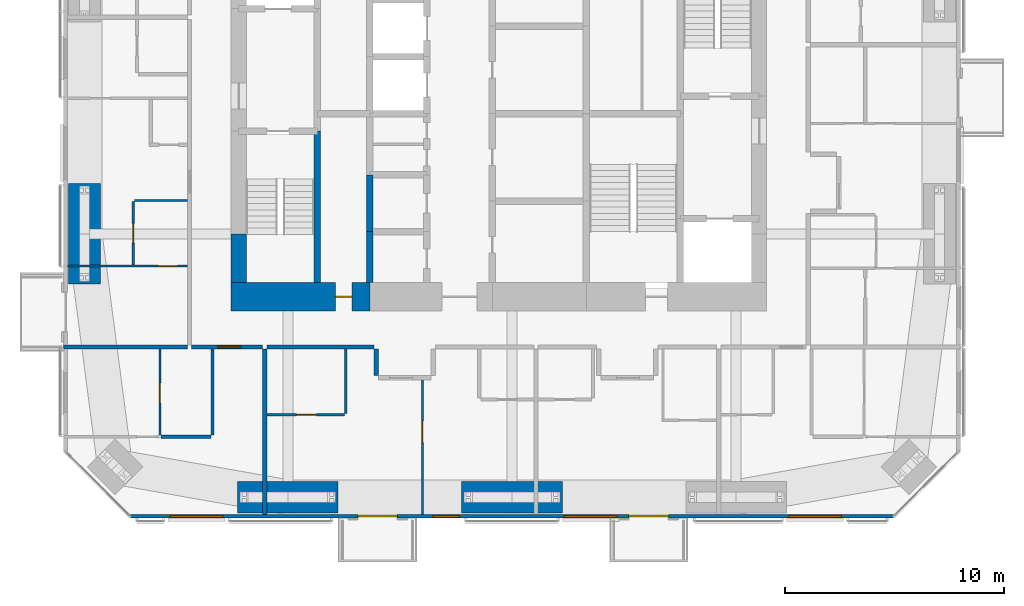
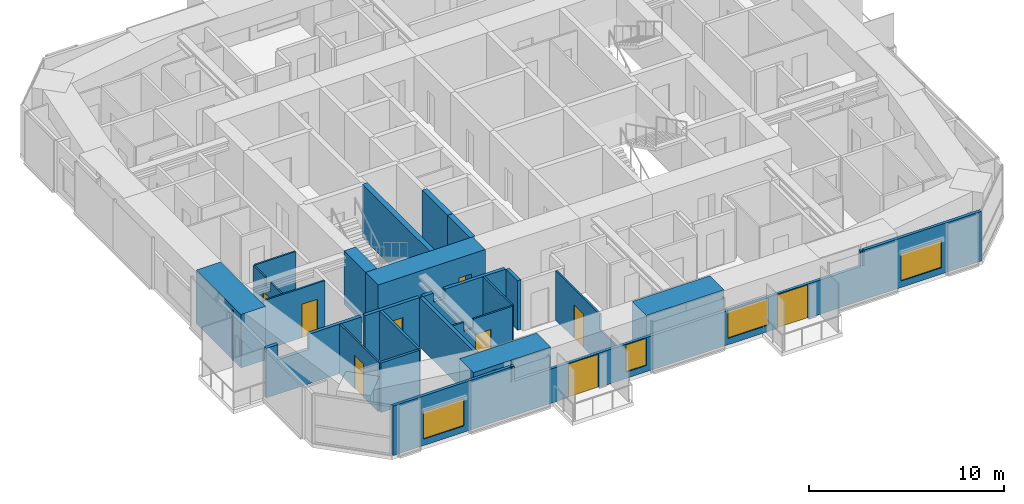
# One storey, part 15 of 23: 23 walls, 9 doors, 4 windows, 13 openings.
"""IFC4 building model written with IfcOpenShell, lengths in metres."""

from ifc_helpers import new_model, si_unit, direction, frame, frame_2d, origin, place, context, subcontext, project, spatial, polyline, rectangle, outline, extrude, material, layer, layer_set, constituent, constituent_set, type_object, element, fill, save


model = new_model("IFC4")

# Units and contexts
model_context = context("Model", 3, precision=1e-05, world=origin(), true_north=direction((0.0, 1.0)))
body_context = subcontext(model_context, "Body", "Model", "MODEL_VIEW")
ifc_project = project(units=[si_unit("LENGTHUNIT", "METRE"), si_unit("AREAUNIT", "SQUARE_METRE"), si_unit("VOLUMEUNIT", "CUBIC_METRE"), si_unit("PLANEANGLEUNIT", "RADIAN"), si_unit("MASSUNIT", "GRAM", prefix="KILO")], contexts=[model_context])

# Site, building, storey
site_placement = place(None, origin())
site = spatial("IfcSite", under=ifc_project, at=site_placement, CompositionType="ELEMENT")
building_placement = place(site_placement, origin())
building = spatial("IfcBuilding", under=site, at=building_placement, Name="Jalousie Tower", CompositionType="ELEMENT")
storey_placement = place(building_placement, frame((0.0, 0.0, 167.75)))
storey = spatial("IfcBuildingStorey", under=building, at=storey_placement, Name="L45", CompositionType="ELEMENT", Elevation=167.75)

# Walls
ifc_material_1 = material(Name="Concrete block ASTM C90", Category="concrete")
ifc_constituent_1 = constituent(ifc_material_1, Name="Body")
ifc_material_2 = material(Name="Render")
ifc_constituent_2 = constituent(ifc_material_2, Name="Finish")
ifc_constituent_set_1 = constituent_set(constituents=[ifc_constituent_1, ifc_constituent_2])
wall_type_1 = type_object("IfcWallType", Name="BATHROOM WALL 150", PredefinedType="PLUMBINGWALL", material=ifc_constituent_set_1)
wall_1_placement = place(storey_placement, frame((18.72509765625, 3.72119140625, 0.0), z_axis=(0.0, 0.0, 1.0), x_axis=(-1.0, 0.0, 0.0)))
element("IfcWall", 1, at=wall_1_placement, inside=storey, type_object=wall_type_1, Name="Bathroom Wall 150 L45", PredefinedType="PLUMBINGWALL", context=body_context, shape_type="SweptSolid", body=[
    extrude(rectangle(XDim=2.275146484375, YDim=0.14990234375, at=frame_2d((1.1376953125, 0.0))), origin(), (0.0, 0.0, 1.0), 3.110107421875),
])
wall_2_placement = place(storey_placement, frame((18.800048828125, 3.79638671875, 0.0), z_axis=(0.0, 0.0, 1.0), x_axis=(0.0, 1.0, 0.0)))
element("IfcWall", 2, at=wall_2_placement, inside=storey, type_object=wall_type_1, Name="Bathroom Wall 150 L45", PredefinedType="PLUMBINGWALL", context=body_context, shape_type="SweptSolid", body=[
    extrude(rectangle(XDim=3.9287109375, YDim=0.14990234375, at=frame_2d((1.96435546875, 0.0))), origin(), (0.0, 0.0, 1.0), 3.110107421875),
])

# Wall, opening, door
ifc_material_3 = material(Name="Concrete f'c 120 MPa", Category="concrete")
ifc_layer_1 = layer(ifc_material_3, 1.300048828125)
ifc_layer_set_1 = layer_set([ifc_layer_1], Name="Concrete f'c 120 MPa")
wall_type_2 = type_object("IfcWallType", Name="CORE WALL 1300", PredefinedType="SHEAR", material=ifc_layer_set_1)
wall_3_placement = place(storey_placement, frame((19.64990234375, 10.125, 0.0), z_axis=(0.0, 0.0, 1.0), x_axis=(1.0, 0.0, 0.0)))
wall_3 = element("IfcWall", 3, at=wall_3_placement, inside=storey, type_object=wall_type_2, Name="Core wall SA L45", PredefinedType="SHEAR", context=body_context, shape_type="SweptSolid", body=[
    extrude(rectangle(XDim=6.35009765625, YDim=1.300048828125, at=frame_2d((3.175048828125, 0.0))), origin(), (0.0, 0.0, 1.0), 3.35009765625),
])
opening_1_placement = place(wall_3_placement, frame((4.77490234375, 0.0, 0.0)))
opening_1 = element("IfcOpeningElement", 4, at=opening_1_placement, cuts=wall_3, Name="Opening D16", PredefinedType="OPENING", context=body_context, shape_type="SweptSolid", body=[
    extrude(rectangle(XDim=0.75, YDim=2.10009765625, at=frame_2d((0.375, 1.050048828125))), frame((0.0, 0.659912109375, 0.0), z_axis=(0.0, -1.0, 0.0), x_axis=(1.0, 0.0, 0.0)), (0.0, 0.0, 1.0), 1.320068359375),
])
ifc_material_4 = material(Name="Steel fire door", Category="steel")
door_type_1 = type_object("IfcDoorType", Name="RISER DOOR 750", OperationType="SINGLE_SWING_LEFT", PredefinedType="DOOR", material=ifc_material_4)
door_1_placement = place(opening_1_placement, origin())
door_1 = element("IfcDoor", 5, at=door_1_placement, inside=storey, type_object=door_type_1, Name="South riser door", OperationType="SINGLE_SWING_LEFT", OverallHeight=2.10009765625, OverallWidth=0.75, PredefinedType="DOOR", context=body_context, shape_type="SweptSolid", body=[
    extrude(rectangle(XDim=0.75, YDim=2.10009765625, at=frame_2d((0.375, 1.050048828125))), frame((0.0, 0.02490234375, 0.0), z_axis=(0.0, -1.0, 0.0), x_axis=(1.0, 0.0, 0.0)), (0.0, 0.0, 1.0), 0.050048828125),
])
fill(opening_1, door_1)

# Walls
ifc_material_5 = material(Name="Concrete f'c 120 MPa", Category="concrete")
ifc_layer_2 = layer(ifc_material_5, 0.300048828125)
ifc_layer_set_2 = layer_set([ifc_layer_2], Name="Concrete f'c 120 MPa")
wall_type_3 = type_object("IfcWallType", Name="CORE WALL 300", PredefinedType="SHEAR", material=ifc_layer_set_2)
wall_4_placement = place(storey_placement, frame((23.60009765625, 10.77490234375, 0.0), z_axis=(0.0, 0.0, 1.0), x_axis=(0.0, 1.0, 0.0)))
element("IfcWall", 6, at=wall_4_placement, inside=storey, type_object=wall_type_3, Name="Core wall X23.6A L45", PredefinedType="SHEAR", context=body_context, shape_type="SweptSolid", body=[
    extrude(rectangle(XDim=6.925048828125, YDim=0.300048828125, at=frame_2d((3.46240234375, 0.0))), origin(), (0.0, 0.0, 1.0), 3.35009765625),
])
wall_5_placement = place(storey_placement, frame((26.0, 10.77490234375, 0.0), z_axis=(0.0, 0.0, 1.0), x_axis=(0.0, 1.0, 0.0)))
element("IfcWall", 7, at=wall_5_placement, inside=storey, type_object=wall_type_3, Name="Core wall X26A L45", PredefinedType="SHEAR", context=body_context, shape_type="SweptSolid", body=[
    extrude(rectangle(XDim=2.3251953125, YDim=0.300048828125, at=frame_2d((1.16259765625, 0.0))), origin(), (0.0, 0.0, 1.0), 3.35009765625),
])
wall_6_placement = place(storey_placement, frame((26.0, 13.10009765625, 0.0), z_axis=(0.0, 0.0, 1.0), x_axis=(0.0, 1.0, 0.0)))
element("IfcWall", 8, at=wall_6_placement, inside=storey, type_object=wall_type_3, Name="Core wall X26B L45", PredefinedType="SHEAR", context=body_context, shape_type="SweptSolid", body=[
    extrude(rectangle(XDim=2.599853515625, YDim=0.300048828125, at=frame_2d((1.2998046875, 0.0))), origin(), (0.0, 0.0, 1.0), 3.35009765625),
])
ifc_material_6 = material(Name="Concrete f'c 120 MPa", Category="concrete")
ifc_layer_3 = layer(ifc_material_6, 0.699951171875)
ifc_layer_set_3 = layer_set([ifc_layer_3], Name="Concrete f'c 120 MPa")
wall_type_4 = type_object("IfcWallType", Name="CORE WALL 700", PredefinedType="SHEAR", material=ifc_layer_set_3)
wall_7_placement = place(storey_placement, frame((20.0, 13.0, 0.0), z_axis=(0.0, 0.0, 1.0), x_axis=(0.0, -1.0, 0.0)))
element("IfcWall", 9, at=wall_7_placement, inside=storey, type_object=wall_type_4, Name="Core wall WD L45", PredefinedType="SHEAR", context=body_context, shape_type="SweptSolid", body=[
    extrude(rectangle(XDim=2.22509765625, YDim=0.699951171875, at=frame_2d((1.112548828125, 0.0))), origin(), (0.0, 0.0, 1.0), 3.35009765625),
])

# Wall, opening, door
ifc_material_7 = material(Name="Concrete block ASTM C90", Category="concrete")
ifc_constituent_3 = constituent(ifc_material_7, Name="Body")
ifc_material_8 = material(Name="Render")
ifc_constituent_4 = constituent(ifc_material_8, Name="Finish")
ifc_constituent_set_2 = constituent_set(constituents=[ifc_constituent_3, ifc_constituent_4])
wall_type_5 = type_object("IfcWallType", Name="CORRIDOR WALL 200", PredefinedType="PARTITIONING", material=ifc_constituent_set_2)
wall_8_placement = place(storey_placement, frame((17.85009765625, 7.824951171875, 0.0), z_axis=(0.0, 0.0, 1.0), x_axis=(1.0, 0.0, 0.0)))
wall_8 = element("IfcWall", 10, at=wall_8_placement, inside=storey, type_object=wall_type_5, Name="Corridor Wall 200 L45", PredefinedType="PARTITIONING", context=body_context, shape_type="SweptSolid", body=[
    extrude(rectangle(XDim=3.25, YDim=0.199951171875, at=frame_2d((1.625, 0.0))), origin(), (0.0, 0.0, 1.0), 3.110107421875),
])
opening_2_placement = place(wall_8_placement, frame((1.199951171875, 0.0, 0.0)))
opening_2 = element("IfcOpeningElement", 11, at=opening_2_placement, cuts=wall_8, Name="Opening D1", PredefinedType="OPENING", context=body_context, shape_type="SweptSolid", body=[
    extrude(rectangle(XDim=1.050048828125, YDim=2.199951171875, at=frame_2d((0.52490234375, 1.10009765625))), frame((0.0, 0.10986328125, 0.0), z_axis=(0.0, -1.0, 0.0), x_axis=(1.0, 0.0, 0.0)), (0.0, 0.0, 1.0), 0.219970703125),
])
ifc_material_9 = material(Name="Timber fire door", Category="wood")
door_type_2 = type_object("IfcDoorType", Name="APARTMENT ENTRANCE DOOR 1050", OperationType="SINGLE_SWING_LEFT", PredefinedType="DOOR", material=ifc_material_9)
door_2_placement = place(opening_2_placement, frame((1.050048828125, 0.0, 0.0), z_axis=(0.0, 0.0, 1.0), x_axis=(-1.0, 0.0, 0.0)))
door_2 = element("IfcDoor", 12, at=door_2_placement, inside=storey, type_object=door_type_2, Name="Apartment 4501 entrance", OperationType="SINGLE_SWING_RIGHT", OverallHeight=2.199951171875, OverallWidth=1.050048828125, PredefinedType="DOOR", context=body_context, shape_type="SweptSolid", body=[
    extrude(rectangle(XDim=1.050048828125, YDim=2.199951171875, at=frame_2d((0.52490234375, 1.10009765625))), frame((0.0, 0.02490234375, 0.0), z_axis=(0.0, -1.0, 0.0), x_axis=(1.0, 0.0, 0.0)), (0.0, 0.0, 1.0), 0.050048828125),
])
fill(opening_2, door_2)

# Walls
wall_9_placement = place(storey_placement, frame((21.300048828125, 7.824951171875, 0.0), z_axis=(0.0, 0.0, 1.0), x_axis=(1.0, 0.0, 0.0)))
element("IfcWall", 13, at=wall_9_placement, inside=storey, type_object=wall_type_5, Name="Corridor Wall 200 L45", PredefinedType="PARTITIONING", context=body_context, shape_type="SweptSolid", body=[
    extrude(outline(polyline([(0.0, 0.0), (4.89990234375, 0.0), (4.89990234375, 3.110107421875), (1.287353515625, 3.110107421875), (1.287353515625, 2.541015625), (0.612548828125, 2.541015625), (0.612548828125, 3.110107421875), (0.0, 3.110107421875), (0.0, 0.0)])), frame((0.0, 0.10009765625, 0.0), z_axis=(0.0, -1.0, 0.0), x_axis=(1.0, 0.0, 0.0)), (0.0, 0.0, 1.0), 0.199951171875),
])
wall_10_placement = place(storey_placement, frame((26.300048828125, 7.72509765625, 0.0), z_axis=(0.0, 0.0, 1.0), x_axis=(0.0, -1.0, 0.0)))
element("IfcWall", 14, at=wall_10_placement, inside=storey, type_object=wall_type_5, Name="Corridor Wall 200 L45", PredefinedType="PARTITIONING", context=body_context, shape_type="SweptSolid", body=[
    extrude(rectangle(XDim=1.2001953125, YDim=0.199951171875, at=frame_2d((0.60009765625, 0.0))), origin(), (0.0, 0.0, 1.0), 3.110107421875),
])

# Wall, openings, doors, windows
ifc_material_10 = material(Name="Concrete f'c 40 MPa", Category="concrete")
ifc_constituent_5 = constituent(ifc_material_10, Name="Body")
ifc_material_11 = material(Name="Render, pastel lemon")
ifc_constituent_6 = constituent(ifc_material_11, Name="Finish")
ifc_constituent_set_3 = constituent_set(constituents=[ifc_constituent_5, ifc_constituent_6])
wall_type_6 = type_object("IfcWallType", Name="EXTERNAL WALL 175 LEMON RENDER", PredefinedType="SOLIDWALL", material=ifc_constituent_set_3)
wall_11_placement = place(storey_placement, frame((15.05126953125, 0.08740234375, 0.0), z_axis=(0.0, 0.0, 1.0), x_axis=(1.0, 0.0, 0.0)))
wall_11 = element("IfcWall", 15, at=wall_11_placement, inside=storey, type_object=wall_type_6, Name="External Wall 175 Lemon Render L45", PredefinedType="SOLIDWALL", context=body_context, shape_type="SweptSolid", body=[
    extrude(outline(polyline([(0.0, 0.0), (34.8974609375, 0.0), (34.8974609375, 3.110107421875), (27.91015625, 3.110107421875), (27.91015625, 2.14990234375), (27.8359375, 2.14990234375), (27.8359375, 3.110107421875), (27.69873046875, 3.110107421875), (27.69873046875, 2.14990234375), (7.19873046875, 2.14990234375), (7.19873046875, 3.110107421875), (7.0615234375, 3.110107421875), (7.0615234375, 2.14990234375), (6.9873046875, 2.14990234375), (6.9873046875, 3.110107421875), (0.0, 3.110107421875), (0.0, 0.0)])), frame((0.0, 0.08740234375, 0.0), z_axis=(0.0, -1.0, 0.0), x_axis=(1.0, 0.0, 0.0)), (0.0, 0.0, 1.0), 0.175048828125),
])
opening_3_placement = place(wall_11_placement, frame((1.824462890625, 0.0, 0.39990234375)))
opening_3 = element("IfcOpeningElement", 16, at=opening_3_placement, cuts=wall_11, Name="Opening W-LIV170", PredefinedType="OPENING", context=body_context, shape_type="SweptSolid", body=[
    extrude(rectangle(XDim=2.39990234375, YDim=1.699951171875, at=frame_2d((1.199951171875, 0.85009765625))), frame((0.0, 0.097412109375, 0.0), z_axis=(0.0, -1.0, 0.0), x_axis=(1.0, 0.0, 0.0)), (0.0, 0.0, 1.0), 0.195068359375),
])
opening_4_placement = place(wall_11_placement, frame((10.398681640625, 0.0, 0.0)))
opening_4 = element("IfcOpeningElement", 17, at=opening_4_placement, cuts=wall_11, Name="Opening D-BAL21", PredefinedType="OPENING", context=body_context, shape_type="SweptSolid", body=[
    extrude(rectangle(XDim=1.800048828125, YDim=2.10009765625, at=frame_2d((0.89990234375, 1.050048828125))), frame((0.0, 0.097412109375, 0.0), z_axis=(0.0, -1.0, 0.0), x_axis=(1.0, 0.0, 0.0)), (0.0, 0.0, 1.0), 0.195068359375),
])
opening_5_placement = place(wall_11_placement, frame((13.827392578125, 0.0, 0.39990234375)))
opening_5 = element("IfcOpeningElement", 18, at=opening_5_placement, cuts=wall_11, Name="Opening W-COR170", PredefinedType="OPENING", context=body_context, shape_type="SweptSolid", body=[
    extrude(rectangle(XDim=1.199951171875, YDim=1.699951171875, at=frame_2d((0.60009765625, 0.85009765625))), frame((0.0, 0.097412109375, 0.0), z_axis=(0.0, -1.0, 0.0), x_axis=(1.0, 0.0, 0.0)), (0.0, 0.0, 1.0), 0.195068359375),
])
opening_6_placement = place(wall_11_placement, frame((22.798583984375, 0.0, 0.0)))
opening_6 = element("IfcOpeningElement", 19, at=opening_6_placement, cuts=wall_11, Name="Opening D-BAL21", PredefinedType="OPENING", context=body_context, shape_type="SweptSolid", body=[
    extrude(rectangle(XDim=1.800048828125, YDim=2.10009765625, at=frame_2d((0.89990234375, 1.050048828125))), frame((0.0, 0.097412109375, 0.0), z_axis=(0.0, -1.0, 0.0), x_axis=(1.0, 0.0, 0.0)), (0.0, 0.0, 1.0), 0.195068359375),
])
opening_7_placement = place(wall_11_placement, frame((19.8486328125, 0.0, 0.39990234375)))
opening_7 = element("IfcOpeningElement", 20, at=opening_7_placement, cuts=wall_11, Name="Opening W-LIV170", PredefinedType="OPENING", context=body_context, shape_type="SweptSolid", body=[
    extrude(rectangle(XDim=2.39990234375, YDim=1.699951171875, at=frame_2d((1.199951171875, 0.85009765625))), frame((0.0, 0.097412109375, 0.0), z_axis=(0.0, -1.0, 0.0), x_axis=(1.0, 0.0, 0.0)), (0.0, 0.0, 1.0), 0.195068359375),
])
opening_8_placement = place(wall_11_placement, frame((30.10791015625, 0.0, 0.39990234375)))
opening_8 = element("IfcOpeningElement", 21, at=opening_8_placement, cuts=wall_11, Name="Opening W-LIV170", PredefinedType="OPENING", context=body_context, shape_type="SweptSolid", body=[
    extrude(rectangle(XDim=2.39990234375, YDim=1.699951171875, at=frame_2d((1.199951171875, 0.85009765625))), frame((0.0, 0.097412109375, 0.0), z_axis=(0.0, -1.0, 0.0), x_axis=(1.0, 0.0, 0.0)), (0.0, 0.0, 1.0), 0.195068359375),
])
ifc_material_12 = material(Name="Aluminium frame, impact-rated glazing", Category="aluminium")
door_type_3 = type_object("IfcDoorType", Name="BALCONY DOOR 1800x2100", OperationType="SLIDING_TO_LEFT", PredefinedType="DOOR", material=ifc_material_12)
door_3_placement = place(opening_4_placement, origin())
door_3 = element("IfcDoor", 22, at=door_3_placement, inside=storey, type_object=door_type_3, Name="Apartment 4502 studio living and sleeping room balcony door", OperationType="SLIDING_TO_LEFT", OverallHeight=2.10009765625, OverallWidth=1.800048828125, PredefinedType="DOOR", context=body_context, shape_type="SweptSolid", body=[
    extrude(rectangle(XDim=1.800048828125, YDim=2.10009765625, at=frame_2d((0.89990234375, 1.050048828125))), frame((0.0, 0.02490234375, 0.0), z_axis=(0.0, -1.0, 0.0), x_axis=(1.0, 0.0, 0.0)), (0.0, 0.0, 1.0), 0.050048828125),
])
fill(opening_4, door_3)
door_4_placement = place(opening_6_placement, origin())
door_4 = element("IfcDoor", 23, at=door_4_placement, inside=storey, type_object=door_type_3, Name="Apartment 4503 studio living and sleeping room balcony door", OperationType="SLIDING_TO_LEFT", OverallHeight=2.10009765625, OverallWidth=1.800048828125, PredefinedType="DOOR", context=body_context, shape_type="SweptSolid", body=[
    extrude(rectangle(XDim=1.800048828125, YDim=2.10009765625, at=frame_2d((0.89990234375, 1.050048828125))), frame((0.0, 0.02490234375, 0.0), z_axis=(0.0, -1.0, 0.0), x_axis=(1.0, 0.0, 0.0)), (0.0, 0.0, 1.0), 0.050048828125),
])
fill(opening_6, door_4)
ifc_material_13 = material(Name="Aluminium frame, impact-rated glazing", Category="aluminium")
window_type_1 = type_object("IfcWindowType", Name="WINDOW COR 1200x1700", PartitioningType="SINGLE_PANEL", PredefinedType="WINDOW", material=ifc_material_13)
window_1_placement = place(opening_5_placement, origin())
window_1 = element("IfcWindow", 24, at=window_1_placement, inside=storey, type_object=window_type_1, Name="Apartment 4502 dining room window", OverallHeight=1.699951171875, OverallWidth=1.199951171875, PartitioningType="SINGLE_PANEL", PredefinedType="WINDOW", context=body_context, shape_type="SweptSolid", body=[
    extrude(rectangle(XDim=1.199951171875, YDim=1.699951171875, at=frame_2d((0.60009765625, 0.85009765625))), frame((0.0, 0.030029296875, 0.0), z_axis=(0.0, -1.0, 0.0), x_axis=(1.0, 0.0, 0.0)), (0.0, 0.0, 1.0), 0.06005859375),
])
fill(opening_5, window_1)
ifc_material_14 = material(Name="Aluminium frame, impact-rated glazing", Category="aluminium")
window_type_2 = type_object("IfcWindowType", Name="WINDOW LIV 2400x1700", PartitioningType="DOUBLE_PANEL_VERTICAL", PredefinedType="WINDOW", material=ifc_material_14)
window_2_placement = place(opening_3_placement, origin())
window_2 = element("IfcWindow", 25, at=window_2_placement, inside=storey, type_object=window_type_2, Name="Apartment 4501 living, dining and kitchen window", OverallHeight=1.699951171875, OverallWidth=2.39990234375, PartitioningType="SINGLE_PANEL", PredefinedType="WINDOW", context=body_context, shape_type="SweptSolid", body=[
    extrude(rectangle(XDim=2.39990234375, YDim=1.699951171875, at=frame_2d((1.199951171875, 0.85009765625))), frame((0.0, 0.030029296875, 0.0), z_axis=(0.0, -1.0, 0.0), x_axis=(1.0, 0.0, 0.0)), (0.0, 0.0, 1.0), 0.06005859375),
])
fill(opening_3, window_2)
window_3_placement = place(opening_7_placement, origin())
window_3 = element("IfcWindow", 26, at=window_3_placement, inside=storey, type_object=window_type_2, Name="Apartment 4503 studio living and sleeping room window", OverallHeight=1.699951171875, OverallWidth=2.39990234375, PartitioningType="SINGLE_PANEL", PredefinedType="WINDOW", context=body_context, shape_type="SweptSolid", body=[
    extrude(rectangle(XDim=2.39990234375, YDim=1.699951171875, at=frame_2d((1.199951171875, 0.85009765625))), frame((0.0, 0.030029296875, 0.0), z_axis=(0.0, -1.0, 0.0), x_axis=(1.0, 0.0, 0.0)), (0.0, 0.0, 1.0), 0.06005859375),
])
fill(opening_7, window_3)
window_4_placement = place(opening_8_placement, origin())
window_4 = element("IfcWindow", 27, at=window_4_placement, inside=storey, type_object=window_type_2, Name="Apartment 4504 living and dining room window", OverallHeight=1.699951171875, OverallWidth=2.39990234375, PartitioningType="SINGLE_PANEL", PredefinedType="WINDOW", context=body_context, shape_type="SweptSolid", body=[
    extrude(rectangle(XDim=2.39990234375, YDim=1.699951171875, at=frame_2d((1.199951171875, 0.85009765625))), frame((0.0, 0.030029296875, 0.0), z_axis=(0.0, -1.0, 0.0), x_axis=(1.0, 0.0, 0.0)), (0.0, 0.0, 1.0), 0.06005859375),
])
fill(opening_8, window_4)

# Wall, opening, door
ifc_material_15 = material(Name="Gypsum board", Category="gypsum")
ifc_constituent_7 = constituent(ifc_material_15, Name="Body")
ifc_material_16 = material(Name="Light-gauge steel studs ASTM A653 SS Grade 33", Category="steel")
ifc_constituent_8 = constituent(ifc_material_16, Name="Framing")
ifc_constituent_set_4 = constituent_set(constituents=[ifc_constituent_7, ifc_constituent_8])
wall_type_7 = type_object("IfcWallType", Name="PARTITION 100", PredefinedType="PARTITIONING", material=ifc_constituent_set_4)
wall_12_placement = place(storey_placement, frame((16.39990234375, 3.79638671875, 0.0), z_axis=(0.0, 0.0, 1.0), x_axis=(0.0, 1.0, 0.0)))
wall_12 = element("IfcWall", 28, at=wall_12_placement, inside=storey, type_object=wall_type_7, Name="Partition 100 L45", PredefinedType="PARTITIONING", context=body_context, shape_type="SweptSolid", body=[
    extrude(rectangle(XDim=3.9287109375, YDim=0.10009765625, at=frame_2d((1.96435546875, 0.0))), origin(), (0.0, 0.0, 1.0), 3.110107421875),
])
opening_9_placement = place(wall_12_placement, frame((1.476806640625, 0.0, 0.0)))
opening_9 = element("IfcOpeningElement", 29, at=opening_9_placement, cuts=wall_12, Name="Opening D3", PredefinedType="OPENING", context=body_context, shape_type="SweptSolid", body=[
    extrude(rectangle(XDim=0.89990234375, YDim=2.10009765625, at=frame_2d((0.449951171875, 1.050048828125))), frame((0.0, 0.06005859375, 0.0), z_axis=(0.0, -1.0, 0.0), x_axis=(1.0, 0.0, 0.0)), (0.0, 0.0, 1.0), 0.1201171875),
])
ifc_material_17 = material(Name="Timber door", Category="wood")
door_type_4 = type_object("IfcDoorType", Name="BATHROOM DOOR 900", OperationType="SINGLE_SWING_LEFT", PredefinedType="DOOR", material=ifc_material_17)
door_5_placement = place(opening_9_placement, frame((0.89990234375, 0.0, 0.0), z_axis=(0.0, 0.0, 1.0), x_axis=(-1.0, 0.0, 0.0)))
door_5 = element("IfcDoor", 30, at=door_5_placement, inside=storey, type_object=door_type_4, Name="Apartment 4501 bedroom 1 bathroom door", OperationType="SINGLE_SWING_RIGHT", OverallHeight=2.10009765625, OverallWidth=0.89990234375, PredefinedType="DOOR", context=body_context, shape_type="SweptSolid", body=[
    extrude(rectangle(XDim=0.89990234375, YDim=2.10009765625, at=frame_2d((0.449951171875, 1.050048828125))), frame((0.0, 0.02490234375, 0.0), z_axis=(0.0, -1.0, 0.0), x_axis=(1.0, 0.0, 0.0)), (0.0, 0.0, 1.0), 0.050048828125),
])
fill(opening_9, door_5)

wall_13_placement = place(storey_placement, frame((21.300048828125, 4.72509765625, 0.0), z_axis=(0.0, 0.0, 1.0), x_axis=(1.0, 0.0, 0.0)))
wall_13 = element("IfcWall", 31, at=wall_13_placement, inside=storey, type_object=wall_type_7, Name="Partition 100 L45", PredefinedType="PARTITIONING", context=body_context, shape_type="SweptSolid", body=[
    extrude(outline(polyline([(0.0, 0.0), (3.550048828125, 0.0), (3.550048828125, 3.110107421875), (1.2373046875, 3.110107421875), (1.2373046875, 2.541015625), (0.66259765625, 2.541015625), (0.66259765625, 3.110107421875), (0.0, 3.110107421875), (0.0, 0.0)])), frame((0.0, 0.050048828125, 0.0), z_axis=(0.0, -1.0, 0.0), x_axis=(1.0, 0.0, 0.0)), (0.0, 0.0, 1.0), 0.10009765625),
])
opening_10_placement = place(wall_13_placement, frame((1.35009765625, 0.0, 0.0)))
opening_10 = element("IfcOpeningElement", 32, at=opening_10_placement, cuts=wall_13, Name="Opening D7", PredefinedType="OPENING", context=body_context, shape_type="SweptSolid", body=[
    extrude(rectangle(XDim=0.89990234375, YDim=2.10009765625, at=frame_2d((0.449951171875, 1.050048828125))), frame((0.0, 0.06005859375, 0.0), z_axis=(0.0, -1.0, 0.0), x_axis=(1.0, 0.0, 0.0)), (0.0, 0.0, 1.0), 0.1201171875),
])
ifc_material_18 = material(Name="Timber door", Category="wood")
door_type_5 = type_object("IfcDoorType", Name="INTERNAL DOOR 900", OperationType="SINGLE_SWING_LEFT", PredefinedType="DOOR", material=ifc_material_18)
door_6_placement = place(opening_10_placement, origin())
door_6 = element("IfcDoor", 33, at=door_6_placement, inside=storey, type_object=door_type_5, Name="Apartment 4502 kitchen door", OperationType="SINGLE_SWING_RIGHT", OverallHeight=2.10009765625, OverallWidth=0.89990234375, PredefinedType="DOOR", context=body_context, shape_type="SweptSolid", body=[
    extrude(rectangle(XDim=0.89990234375, YDim=2.10009765625, at=frame_2d((0.449951171875, 1.050048828125))), frame((0.0, 0.02490234375, 0.0), z_axis=(0.0, -1.0, 0.0), x_axis=(1.0, 0.0, 0.0)), (0.0, 0.0, 1.0), 0.050048828125),
])
fill(opening_10, door_6)

# Wall
wall_14_placement = place(storey_placement, frame((24.89990234375, 4.77490234375, 0.0), z_axis=(0.0, 0.0, 1.0), x_axis=(0.0, 1.0, 0.0)))
element("IfcWall", 34, at=wall_14_placement, inside=storey, type_object=wall_type_7, Name="Partition 100 L45", PredefinedType="PARTITIONING", context=body_context, shape_type="SweptSolid", body=[
    extrude(rectangle(XDim=2.9501953125, YDim=0.10009765625, at=frame_2d((1.47509765625, 0.0))), origin(), (0.0, 0.0, 1.0), 3.110107421875),
])

# Wall, opening, door
wall_15_placement = place(storey_placement, frame((28.39990234375, 0.175048828125, 0.0), z_axis=(0.0, 0.0, 1.0), x_axis=(0.0, 1.0, 0.0)))
wall_15 = element("IfcWall", 35, at=wall_15_placement, inside=storey, type_object=wall_type_7, Name="Partition 100 L45", PredefinedType="PARTITIONING", context=body_context, shape_type="SweptSolid", body=[
    extrude(outline(polyline([(0.0, 0.0), (6.14990234375, 0.0), (6.14990234375, 3.110107421875), (1.635009765625, 3.110107421875), (1.635009765625, 2.14990234375), (0.0, 2.14990234375), (0.0, 3.110107421875), (0.0, 0.0)])), frame((0.0, 0.050048828125, 0.0), z_axis=(0.0, -1.0, 0.0), x_axis=(1.0, 0.0, 0.0)), (0.0, 0.0, 1.0), 0.10009765625),
])
opening_11_placement = place(wall_15_placement, frame((3.27490234375, 0.0, 0.0)))
opening_11 = element("IfcOpeningElement", 36, at=opening_11_placement, cuts=wall_15, Name="Opening D6", PredefinedType="OPENING", context=body_context, shape_type="SweptSolid", body=[
    extrude(rectangle(XDim=1.0, YDim=2.10009765625, at=frame_2d((0.5, 1.050048828125))), frame((0.0, 0.06005859375, 0.0), z_axis=(0.0, -1.0, 0.0), x_axis=(1.0, 0.0, 0.0)), (0.0, 0.0, 1.0), 0.1201171875),
])
ifc_material_19 = material(Name="Timber door", Category="wood")
door_type_6 = type_object("IfcDoorType", Name="INTERNAL DOOR 1000", OperationType="SINGLE_SWING_LEFT", PredefinedType="DOOR", material=ifc_material_19)
door_7_placement = place(opening_11_placement, frame((1.0, 0.0, 0.0), z_axis=(0.0, 0.0, 1.0), x_axis=(-1.0, 0.0, 0.0)))
door_7 = element("IfcDoor", 37, at=door_7_placement, inside=storey, type_object=door_type_6, Name="Apartment 4502 dining room door", OperationType="SINGLE_SWING_LEFT", OverallHeight=2.10009765625, OverallWidth=1.0, PredefinedType="DOOR", context=body_context, shape_type="SweptSolid", body=[
    extrude(rectangle(XDim=1.0, YDim=2.10009765625, at=frame_2d((0.5, 1.050048828125))), frame((0.0, 0.02490234375, 0.0), z_axis=(0.0, -1.0, 0.0), x_axis=(1.0, 0.0, 0.0)), (0.0, 0.0, 1.0), 0.050048828125),
])
fill(opening_11, door_7)

wall_16_placement = place(storey_placement, frame((12.175048828125, 11.52490234375, 0.0), z_axis=(0.0, 0.0, 1.0), x_axis=(1.0, 0.0, 0.0)))
wall_16 = element("IfcWall", 38, at=wall_16_placement, inside=storey, type_object=wall_type_7, Name="Partition 100 L45", PredefinedType="PARTITIONING", context=body_context, shape_type="SweptSolid", body=[
    extrude(outline(polyline([(0.101318359375, 3.110107421875), (0.0, 3.110107421875), (0.0, 0.0), (0.52880859375, 0.0), (0.52880859375, 0.269287109375), (1.021240234375, 0.269287109375), (1.021240234375, 0.0), (5.47509765625, 0.0), (5.47509765625, 3.110107421875), (1.8359375, 3.110107421875), (1.8359375, 2.14990234375), (1.021240234375, 2.14990234375), (1.021240234375, 1.880859375), (0.52880859375, 1.880859375), (0.52880859375, 2.14990234375), (0.101318359375, 2.14990234375), (0.101318359375, 3.110107421875)])), frame((0.0, 0.050048828125, 0.0), z_axis=(0.0, -1.0, 0.0), x_axis=(1.0, 0.0, 0.0)), (0.0, 0.0, 1.0), 0.10009765625),
])
opening_12_placement = place(wall_16_placement, frame((4.125, 0.0, 0.0)))
opening_12 = element("IfcOpeningElement", 39, at=opening_12_placement, cuts=wall_16, Name="Opening D2", PredefinedType="OPENING", context=body_context, shape_type="SweptSolid", body=[
    extrude(rectangle(XDim=0.89990234375, YDim=2.10009765625, at=frame_2d((0.449951171875, 1.050048828125))), frame((0.0, 0.06005859375, 0.0), z_axis=(0.0, -1.0, 0.0), x_axis=(1.0, 0.0, 0.0)), (0.0, 0.0, 1.0), 0.1201171875),
])
ifc_material_20 = material(Name="Timber door", Category="wood")
door_type_7 = type_object("IfcDoorType", Name="BEDROOM DOOR 900", OperationType="SINGLE_SWING_LEFT", PredefinedType="DOOR", material=ifc_material_20)
door_8_placement = place(opening_12_placement, frame((0.89990234375, 0.0, 0.0), z_axis=(0.0, 0.0, 1.0), x_axis=(-1.0, 0.0, 0.0)))
door_8 = element("IfcDoor", 40, at=door_8_placement, inside=storey, type_object=door_type_7, Name="Apartment 4508 bedroom 1 door", OperationType="SINGLE_SWING_LEFT", OverallHeight=2.10009765625, OverallWidth=0.89990234375, PredefinedType="DOOR", context=body_context, shape_type="SweptSolid", body=[
    extrude(rectangle(XDim=0.89990234375, YDim=2.10009765625, at=frame_2d((0.449951171875, 1.050048828125))), frame((0.0, 0.02490234375, 0.0), z_axis=(0.0, -1.0, 0.0), x_axis=(1.0, 0.0, 0.0)), (0.0, 0.0, 1.0), 0.050048828125),
])
fill(opening_12, door_8)

wall_17_placement = place(storey_placement, frame((15.175048828125, 11.574951171875, 0.0), z_axis=(0.0, 0.0, 1.0), x_axis=(0.0, 1.0, 0.0)))
wall_17 = element("IfcWall", 41, at=wall_17_placement, inside=storey, type_object=wall_type_7, Name="Partition 100 L45", PredefinedType="PARTITIONING", context=body_context, shape_type="SweptSolid", body=[
    extrude(outline(polyline([(0.0, 0.0), (2.900146484375, 0.0), (2.89990234375, 3.110107421875), (1.71240234375, 3.110107421875), (1.71240234375, 2.541015625), (1.1376953125, 2.541015625), (1.1376953125, 3.110107421875), (0.0, 3.110107421875), (0.0, 0.0)])), frame((0.0, 0.050048828125, 0.0), z_axis=(0.0, -1.0, 0.0), x_axis=(1.0, 0.0, 0.0)), (0.0, 0.0, 1.0), 0.10009765625),
])
opening_13_placement = place(wall_17_placement, frame((1.0, 0.0, 0.0)))
opening_13 = element("IfcOpeningElement", 42, at=opening_13_placement, cuts=wall_17, Name="Opening D7", PredefinedType="OPENING", context=body_context, shape_type="SweptSolid", body=[
    extrude(rectangle(XDim=0.89990234375, YDim=2.10009765625, at=frame_2d((0.449951171875, 1.050048828125))), frame((0.0, 0.06005859375, 0.0), z_axis=(0.0, -1.0, 0.0), x_axis=(1.0, 0.0, 0.0)), (0.0, 0.0, 1.0), 0.1201171875),
])
door_9_placement = place(opening_13_placement, origin())
door_9 = element("IfcDoor", 43, at=door_9_placement, inside=storey, type_object=door_type_5, Name="Apartment 4508 kitchen door", OperationType="SINGLE_SWING_LEFT", OverallHeight=2.10009765625, OverallWidth=0.89990234375, PredefinedType="DOOR", context=body_context, shape_type="SweptSolid", body=[
    extrude(rectangle(XDim=0.89990234375, YDim=2.10009765625, at=frame_2d((0.449951171875, 1.050048828125))), frame((0.0, 0.02490234375, 0.0), z_axis=(0.0, -1.0, 0.0), x_axis=(1.0, 0.0, 0.0)), (0.0, 0.0, 1.0), 0.050048828125),
])
fill(opening_13, door_9)

# Walls
wall_18_placement = place(storey_placement, frame((15.22509765625, 14.52490234375, 0.0), z_axis=(0.0, 0.0, 1.0), x_axis=(1.0, 0.0, 0.0)))
element("IfcWall", 44, at=wall_18_placement, inside=storey, type_object=wall_type_7, Name="Partition 100 L45", PredefinedType="PARTITIONING", context=body_context, shape_type="SweptSolid", body=[
    extrude(rectangle(XDim=2.4248046875, YDim=0.10009765625, at=frame_2d((1.21240234375, 0.0))), origin(), (0.0, 0.0, 1.0), 3.110107421875),
])
ifc_material_21 = material(Name="Concrete block ASTM C90", Category="concrete")
ifc_constituent_9 = constituent(ifc_material_21, Name="Body")
ifc_material_22 = material(Name="Render")
ifc_constituent_10 = constituent(ifc_material_22, Name="Finish")
ifc_constituent_set_5 = constituent_set(constituents=[ifc_constituent_9, ifc_constituent_10])
wall_type_8 = type_object("IfcWallType", Name="PARTY WALL 200", PredefinedType="PARTITIONING", material=ifc_constituent_set_5)
wall_19_placement = place(storey_placement, frame((21.199951171875, 0.175048828125, 0.0), z_axis=(0.0, 0.0, 1.0), x_axis=(0.0, 1.0, 0.0)))
element("IfcWall", 45, at=wall_19_placement, inside=storey, type_object=wall_type_8, Name="Party Wall 200 L45", PredefinedType="PARTITIONING", context=body_context, shape_type="SweptSolid", body=[
    extrude(outline(polyline([(0.03662109375, 3.110107421875), (0.0, 3.110107421875), (0.0, 0.0), (0.52880859375, 0.0), (0.52880859375, 0.6669921875), (1.021240234375, 0.6669921875), (1.021240234375, 0.0), (7.550048828125, 0.0), (7.550048828125, 3.110107421875), (1.885009765625, 3.110107421875), (1.885009765625, 2.14990234375), (1.021240234375, 2.14990234375), (1.021240234375, 1.48291015625), (0.52880859375, 1.48291015625), (0.52880859375, 2.14990234375), (0.03662109375, 2.14990234375), (0.03662109375, 3.110107421875)])), frame((0.0, 0.10009765625, 0.0), z_axis=(0.0, -1.0, 0.0), x_axis=(1.0, 0.0, 0.0)), (0.0, 0.0, 1.0), 0.199951171875),
])
wall_20_placement = place(storey_placement, frame((12.0, 7.824951171875, 0.0), z_axis=(0.0, 0.0, 1.0), x_axis=(1.0, 0.0, 0.0)))
element("IfcWall", 46, at=wall_20_placement, inside=storey, type_object=wall_type_8, Name="Party Wall 200 L45", PredefinedType="PARTITIONING", context=body_context, shape_type="SweptSolid", body=[
    extrude(outline(polyline([(0.0, 0.0), (5.64990234375, 0.0), (5.64990234375, 3.110107421875), (2.54736328125, 3.110107421875), (2.54736328125, 2.14990234375), (0.711669921875, 2.14990234375), (0.711669921875, 3.110107421875), (0.0, 3.110107421875), (0.0, 0.0)])), frame((0.0, 0.10009765625, 0.0), z_axis=(0.0, -1.0, 0.0), x_axis=(1.0, 0.0, 0.0)), (0.0, 0.0, 1.0), 0.199951171875),
])
ifc_material_23 = material(Name="Concrete f'c 120 MPa", Category="concrete")
ifc_layer_4 = layer(ifc_material_23, 1.449951171875)
ifc_layer_set_4 = layer_set([ifc_layer_4], Name="Concrete f'c 120 MPa")
wall_type_9 = type_object("IfcWallType", Name="RC WALL PIER 1450", PredefinedType="SHEAR", material=ifc_layer_set_4)
for number, where, z_axis, x_axis, name in (
    (47, (19.949951171875, 0.949951171875, 0.0), (0.0, 0.0, 1.0), (1.0, 0.0, 0.0), "Wall pier 02 L45"),
    (48, (30.199951171875, 0.949951171875, 0.0), (0.0, 0.0, 1.0), (1.0, 0.0, 0.0), "Wall pier 03 L45"),
    (49, (12.949951171875, 10.699951171875, 0.0), (0.0, 0.0, 1.0), (0.0, 1.0, 0.0), "Wall pier 14 L45"),
):
    element("IfcWall", number, at=place(storey_placement, frame(where, z_axis=z_axis, x_axis=x_axis)), inside=storey, type_object=wall_type_9, Name=name, PredefinedType="SHEAR", context=body_context, shape_type="SweptSolid", body=[
        extrude(rectangle(XDim=4.60009765625, YDim=1.449951171875, at=frame_2d((2.300048828125, 0.0))), origin(), (0.0, 0.0, 1.0), 3.35009765625),
    ])

save(model, "model.ifc")
